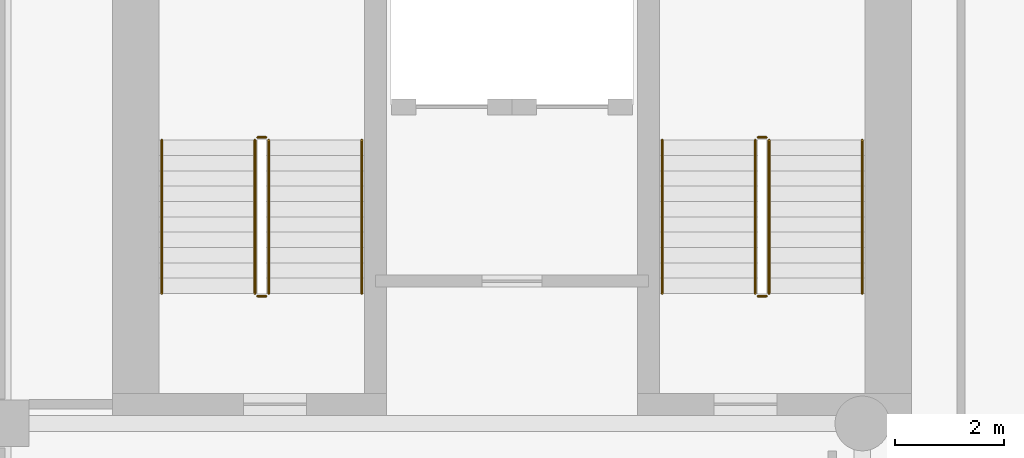
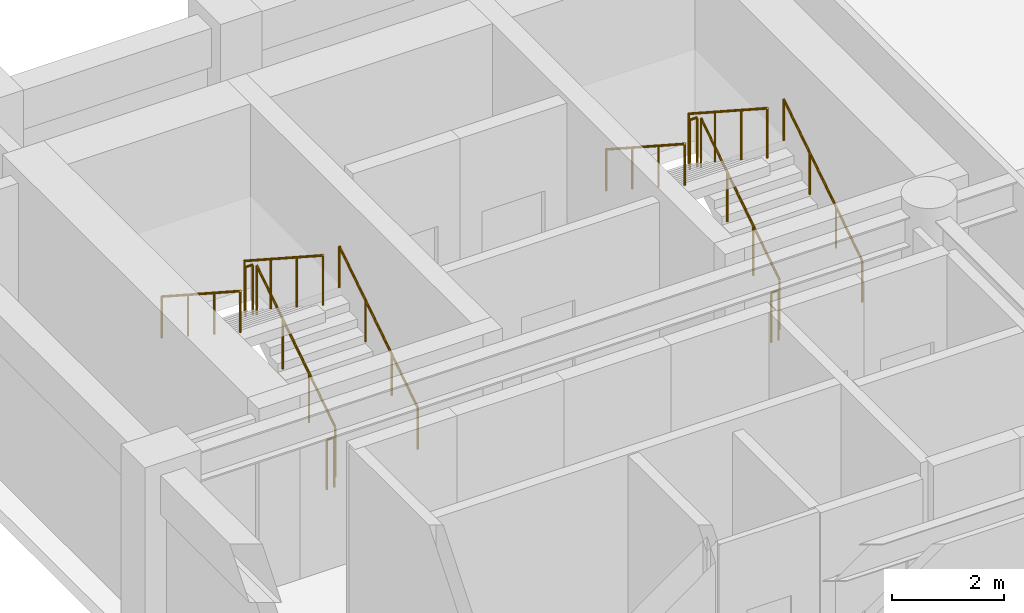
# One storey, part 7 of 8: 12 railings.
"""IFC4 building model written with IfcOpenShell, lengths in metres."""

import ifcopenshell
import ifcopenshell.guid

model = None  # the IFC model being written
_history = None  # IfcOwnerHistory: only IFC2X3 demands one
_inside = {}  # id of a spatial element -> (the spatial element, [elements in it])
_under = {}  # id of a project, library or spatial element -> (it, [spatial elements below it])
_declared = {}  # id of a project -> (the project, [libraries it declares])
_typed = {}  # id of a type object -> (the type object, [elements of that type])
_made_of = {}  # id of a material, layer set ... -> (it, [elements and type objects made of it])


def new_model(schema):
    """Start an empty IFC model of exactly this schema.

    Asked for "IFC4X3", IfcOpenShell would pick the latest addendum, in which some entities
    have other attributes; the version numbers below select the first issue.
    IFC2X3 requires an IfcOwnerHistory on every rooted entity: one is made here for all.
    """
    global model, _history
    if schema == "IFC4X3":
        model = ifcopenshell.file(schema_version=(4, 3, 0, 0))
    else:
        model = ifcopenshell.file(schema=schema)
    _inside.clear()
    _under.clear()
    _declared.clear()
    _typed.clear()
    _made_of.clear()
    _history = None
    if model.schema == "IFC2X3":
        org = make("IfcOrganization", Name="unknown")
        user = make(
            "IfcPersonAndOrganization",
            ThePerson=make("IfcPerson", FamilyName="unknown"),
            TheOrganization=org,
        )
        app = make(
            "IfcApplication",
            ApplicationDeveloper=org,
            Version="unknown",
            ApplicationFullName="unknown",
            ApplicationIdentifier="unknown",
        )
        _history = make(
            "IfcOwnerHistory",
            OwningUser=user,
            OwningApplication=app,
            ChangeAction="ADDED",
            CreationDate=0,
        )
    return model


def make(cls, **values):
    """One entity of the class cls with the attributes given. An attribute that is None is left unset."""
    return model.create_entity(
        cls, **{name: value for name, value in values.items() if value is not None}
    )


def rooted(cls, **values):
    """An entity with a GlobalId (a new one), such as an element, a storey or a relation."""
    return make(cls, GlobalId=ifcopenshell.guid.new(), OwnerHistory=_history, **values)


def si_unit(unit_type, name, prefix=None):
    """IfcSIUnit, for example si_unit("LENGTHUNIT", "METRE", prefix="MILLI")."""
    return make("IfcSIUnit", UnitType=unit_type, Prefix=prefix, Name=name)


def assignment(units):
    """IfcUnitAssignment: the units of a project."""
    return None if units is None else make("IfcUnitAssignment", Units=units)


def point(xyz):
    """IfcCartesianPoint."""
    return None if xyz is None else make("IfcCartesianPoint", Coordinates=xyz)


def direction(xyz):
    """IfcDirection."""
    return None if xyz is None else make("IfcDirection", DirectionRatios=xyz)


def frame(location, z_axis=None, x_axis=None):
    """IfcAxis2Placement3D, a coordinate frame: its origin and axes. An axis left out is left unset."""
    return make(
        "IfcAxis2Placement3D",
        Location=point(location),
        Axis=direction(z_axis),
        RefDirection=direction(x_axis),
    )


def frame_2d(location, x_axis=None):
    """IfcAxis2Placement2D, a coordinate frame in the plane: its origin and x axis."""
    return make(
        "IfcAxis2Placement2D", Location=point(location), RefDirection=direction(x_axis)
    )


def origin():
    """The frame at (0, 0, 0) with its axes left unset."""
    return frame((0.0, 0.0, 0.0))


def origin_2d():
    """The frame at (0, 0) in the plane with its x axis left unset."""
    return frame_2d((0.0, 0.0))


def place(relative_to, where):
    """IfcLocalPlacement: puts the frame where relative to a parent placement (None: the world)."""
    return make(
        "IfcLocalPlacement", PlacementRelTo=relative_to, RelativePlacement=where
    )


def context(
    kind, dimensions, precision=None, world=None, true_north=None, identifier=None
):
    """IfcGeometricRepresentationContext, for example the 3D "Model" context."""
    return make(
        "IfcGeometricRepresentationContext",
        ContextIdentifier=identifier,
        ContextType=kind,
        CoordinateSpaceDimension=dimensions,
        Precision=precision,
        WorldCoordinateSystem=world,
        TrueNorth=true_north,
    )


def subcontext(parent, identifier, kind, view, scale=None):
    """IfcGeometricRepresentationSubContext, for example "Body" below "Model"."""
    return make(
        "IfcGeometricRepresentationSubContext",
        ContextIdentifier=identifier,
        ContextType=kind,
        ParentContext=parent,
        TargetScale=scale,
        TargetView=view,
    )


def project(units=None, contexts=None):
    """IfcProject with its units and contexts."""
    return rooted(
        "IfcProject",
        Name="project",
        RepresentationContexts=contexts,
        UnitsInContext=assignment(units),
    )


def spatial(cls, under=None, at=None, **own):
    """A site, building, storey or space (cls), placed at a placement, below another one or the project."""
    s = rooted(cls, ObjectPlacement=at, **own)
    if under is not None:
        _under.setdefault(under.id(), (under, []))[1].append(s)
    return s


def profile(cls, at=None, kind="AREA", **sizes):
    """A parametric profile (cls). Its sizes go by their IFC names, for example OverallWidth=200.0."""
    return make(cls, ProfileType=kind, Position=at, **sizes)


def circle(**sizes):
    """IfcCircleProfileDef."""
    return profile("IfcCircleProfileDef", **sizes)


def extrude(swept, where, along, depth):
    """IfcExtrudedAreaSolid: the profile swept, set in the frame where, extruded along a direction by depth."""
    return make(
        "IfcExtrudedAreaSolid",
        SweptArea=swept,
        Position=where,
        ExtrudedDirection=direction(along),
        Depth=depth,
    )


def shape(context_of_items, identifier, shape_type, items):
    """IfcShapeRepresentation: the items that make up one representation, for example the "Body"."""
    return make(
        "IfcShapeRepresentation",
        ContextOfItems=context_of_items,
        RepresentationIdentifier=identifier,
        RepresentationType=shape_type,
        Items=items,
    )


def material(Name=None, Category=None):
    """IfcMaterial."""
    return make("IfcMaterial", Name=Name, Category=Category)


def made_of(thing, what):
    """Note that an element or type object is made of a material, layer set ...; save() writes the relation."""
    if what is not None:
        _made_of.setdefault(what.id(), (what, []))[1].append(thing)
    return thing


def type_object(cls, material=None, **own):
    """A type object (cls), such as IfcWallType, which elements share."""
    return made_of(rooted(cls, **own), material)


def element(
    cls,
    number,
    at=None,
    inside=None,
    cuts=None,
    type_object=None,
    material=None,
    context=None,
    identifier="Body",
    shape_type=None,
    held_by="IfcProductDefinitionShape",
    body=None,
    shapes=None,
    **own,
):
    """One element of the class cls, such as IfcWall. Its Tag is "e" and its number.

    at: its placement. inside: the storey or other place that contains it. cuts: it is an
    opening in that element (IfcRelVoidsElement). A single representation is given by context,
    identifier, shape_type and body (its items); several are given by shapes. held_by: the class
    of the entity that holds the representations. save() writes the other relations.
    """
    e = rooted(cls, Tag="e%d" % number, ObjectPlacement=at, **own)
    if body is not None:
        shapes = [shape(context, identifier, shape_type, body)]
    if shapes is not None:
        e.Representation = make(held_by, Representations=shapes)
    if inside is not None:
        _inside.setdefault(inside.id(), (inside, []))[1].append(e)
    if cuts is not None:
        rooted(
            "IfcRelVoidsElement", RelatingBuildingElement=cuts, RelatedOpeningElement=e
        )
    if type_object is not None:
        _typed.setdefault(type_object.id(), (type_object, []))[1].append(e)
    return made_of(e, material)


def aggregate(whole, parts):
    """IfcRelAggregates: a whole, such as a stair, and the parts it consists of."""
    return rooted("IfcRelAggregates", RelatingObject=whole, RelatedObjects=parts)


def save(model, path):
    """Write the relations noted so far, then the file.

    IfcRelAggregates (storeys below a building ...), IfcRelContainedInSpatialStructure (elements
    in a storey), IfcRelDefinesByType, IfcRelAssociatesMaterial and IfcRelDeclares: one each for
    every whole, place, type object, material and project.
    """
    for whole, parts in _under.values():
        aggregate(whole, parts)
    for where, things in _inside.values():
        rooted(
            "IfcRelContainedInSpatialStructure",
            RelatedElements=things,
            RelatingStructure=where,
        )
    for kind, things in _typed.values():
        rooted("IfcRelDefinesByType", RelatedObjects=things, RelatingType=kind)
    for what, things in _made_of.values():
        rooted("IfcRelAssociatesMaterial", RelatedObjects=things, RelatingMaterial=what)
    for by, libraries in _declared.values():
        rooted("IfcRelDeclares", RelatingContext=by, RelatedDefinitions=libraries)
    model.write(path)


model = new_model("IFC4")

# Units and contexts
model_context = context("Model", 3, precision=1e-05, world=origin(), true_north=direction((0.0, 1.0)))
body_context = subcontext(model_context, "Body", "Model", "MODEL_VIEW")
ifc_project = project(units=[si_unit("LENGTHUNIT", "METRE"), si_unit("AREAUNIT", "SQUARE_METRE"), si_unit("VOLUMEUNIT", "CUBIC_METRE"), si_unit("PLANEANGLEUNIT", "RADIAN"), si_unit("MASSUNIT", "GRAM", prefix="KILO")], contexts=[model_context])

# Site, building, storey
site_placement = place(None, origin())
site = spatial("IfcSite", under=ifc_project, at=site_placement, CompositionType="ELEMENT")
building_placement = place(site_placement, origin())
building = spatial("IfcBuilding", under=site, at=building_placement, Name="Sulina Concourse Tower", CompositionType="ELEMENT")
storey_placement = place(building_placement, frame((0.0, 0.0, 100.60009765625)))
storey = spatial("IfcBuildingStorey", under=building, at=storey_placement, Name="L24", CompositionType="ELEMENT", Elevation=100.60009765625)

# Railings
ifc_material_1 = material(Name="Galvanised steel railing", Category="steel")
railing_type_1 = type_object("IfcRailingType", Name="Core Stair Steel Guardrail 1150mm", PredefinedType="GUARDRAIL", material=ifc_material_1)
railing_1_placement = place(storey_placement, frame((5.554931640625, 36.375, 0.181640625)))
element("IfcRailing", 1, at=railing_1_placement, inside=storey, type_object=railing_type_1, Name="L24 ST-1 stair guard 1", PredefinedType="GUARDRAIL", context=body_context, shape_type="SweptSolid", body=[
    extrude(circle(Radius=0.02392578125, at=origin_2d()), frame((0.0, 0.0, 1.076171875), z_axis=(0.0, 0.838672427954, 0.544636170843), x_axis=(-1.0, 0.0, 0.0)), (0.0, 0.0, 1.0), 3.338623046875),
    extrude(circle(Radius=0.02099609375, at=origin_2d()), origin(), (0.0, 0.0, 1.0), 1.052001953125),
    extrude(circle(Radius=0.02099609375, at=origin_2d()), frame((0.0, 0.933349609375, 0.606201171875)), (0.0, 0.0, 1.0), 1.052001953125),
    extrude(circle(Radius=0.02099609375, at=origin_2d()), frame((0.0, 1.86669921875, 1.212158203125)), (0.0, 0.0, 1.0), 1.052001953125),
    extrude(circle(Radius=0.02099609375, at=origin_2d()), frame((0.0, 2.800048828125, 1.818359375)), (0.0, 0.0, 1.0), 1.052001953125),
])
railing_2_placement = place(storey_placement, frame((5.5048828125, 39.22509765625, 2.0)))
element("IfcRailing", 2, at=railing_2_placement, inside=storey, type_object=railing_type_1, Name="L24 ST-1 stair guard 2", PredefinedType="GUARDRAIL", context=body_context, shape_type="SweptSolid", body=[
    extrude(circle(Radius=0.02392578125, at=origin_2d()), frame((0.0, 0.0, 1.076171875), z_axis=(-1.0, 0.0, 0.0), x_axis=(0.0, -1.0, 0.0)), (0.0, 0.0, 1.0), 0.14990234375),
    extrude(circle(Radius=0.02099609375, at=origin_2d()), origin(), (0.0, 0.0, 1.0), 1.052001953125),
    extrude(circle(Radius=0.02099609375, at=origin_2d()), frame((-0.14990234375, 0.0, 0.0)), (0.0, 0.0, 1.0), 1.052001953125),
])
railing_3_placement = place(storey_placement, frame((5.304931640625, 39.175048828125, 2.181640625)))
element("IfcRailing", 3, at=railing_3_placement, inside=storey, type_object=railing_type_1, Name="L24 ST-1 stair guard 3", PredefinedType="GUARDRAIL", context=body_context, shape_type="SweptSolid", body=[
    extrude(circle(Radius=0.02392578125, at=origin_2d()), frame((0.0, 0.0, 1.076171875), z_axis=(0.0, -0.838672427954, 0.544636170843), x_axis=(1.0, 0.0, 0.0)), (0.0, 0.0, 1.0), 3.338623046875),
    extrude(circle(Radius=0.02099609375, at=origin_2d()), origin(), (0.0, 0.0, 1.0), 1.052001953125),
    extrude(circle(Radius=0.02099609375, at=origin_2d()), frame((0.0, -0.933349609375, 0.606201171875)), (0.0, 0.0, 1.0), 1.052001953125),
    extrude(circle(Radius=0.02099609375, at=origin_2d()), frame((0.0, -1.86669921875, 1.212158203125)), (0.0, 0.0, 1.0), 1.052001953125),
    extrude(circle(Radius=0.02099609375, at=origin_2d()), frame((0.0, -2.800048828125, 1.818359375)), (0.0, 0.0, 1.0), 1.052001953125),
])
railing_4_placement = place(storey_placement, frame((5.5048828125, 36.324951171875, 0.0)))
element("IfcRailing", 4, at=railing_4_placement, inside=storey, type_object=railing_type_1, Name="L24 ST-1 stair guard 4", PredefinedType="GUARDRAIL", context=body_context, shape_type="SweptSolid", body=[
    extrude(circle(Radius=0.02392578125, at=origin_2d()), frame((0.0, 0.0, 1.076171875), z_axis=(-1.0, 0.0, 0.0), x_axis=(0.0, -1.0, 0.0)), (0.0, 0.0, 1.0), 0.14990234375),
    extrude(circle(Radius=0.02099609375, at=origin_2d()), origin(), (0.0, 0.0, 1.0), 1.052001953125),
    extrude(circle(Radius=0.02099609375, at=origin_2d()), frame((-0.14990234375, 0.0, 0.0)), (0.0, 0.0, 1.0), 1.052001953125),
])
railing_5_placement = place(storey_placement, frame((14.695068359375, 36.375, 0.181640625)))
element("IfcRailing", 5, at=railing_5_placement, inside=storey, type_object=railing_type_1, Name="L24 ST-2 stair guard 1", PredefinedType="GUARDRAIL", context=body_context, shape_type="SweptSolid", body=[
    extrude(circle(Radius=0.02392578125, at=origin_2d()), frame((0.0, 0.0, 1.076171875), z_axis=(0.0, 0.838672427954, 0.544636170843), x_axis=(-1.0, 0.0, 0.0)), (0.0, 0.0, 1.0), 3.338623046875),
    extrude(circle(Radius=0.02099609375, at=origin_2d()), origin(), (0.0, 0.0, 1.0), 1.052001953125),
    extrude(circle(Radius=0.02099609375, at=origin_2d()), frame((0.0, 0.933349609375, 0.606201171875)), (0.0, 0.0, 1.0), 1.052001953125),
    extrude(circle(Radius=0.02099609375, at=origin_2d()), frame((0.0, 1.86669921875, 1.212158203125)), (0.0, 0.0, 1.0), 1.052001953125),
    extrude(circle(Radius=0.02099609375, at=origin_2d()), frame((0.0, 2.800048828125, 1.818359375)), (0.0, 0.0, 1.0), 1.052001953125),
])
railing_6_placement = place(storey_placement, frame((14.64501953125, 39.22509765625, 2.0)))
element("IfcRailing", 6, at=railing_6_placement, inside=storey, type_object=railing_type_1, Name="L24 ST-2 stair guard 2", PredefinedType="GUARDRAIL", context=body_context, shape_type="SweptSolid", body=[
    extrude(circle(Radius=0.02392578125, at=origin_2d()), frame((0.0, 0.0, 1.076171875), z_axis=(-1.0, 0.0, 0.0), x_axis=(0.0, -1.0, 0.0)), (0.0, 0.0, 1.0), 0.14990234375),
    extrude(circle(Radius=0.02099609375, at=origin_2d()), origin(), (0.0, 0.0, 1.0), 1.052001953125),
    extrude(circle(Radius=0.02099609375, at=origin_2d()), frame((-0.14990234375, 0.0, 0.0)), (0.0, 0.0, 1.0), 1.052001953125),
])
railing_7_placement = place(storey_placement, frame((14.445068359375, 39.175048828125, 2.181640625)))
element("IfcRailing", 7, at=railing_7_placement, inside=storey, type_object=railing_type_1, Name="L24 ST-2 stair guard 3", PredefinedType="GUARDRAIL", context=body_context, shape_type="SweptSolid", body=[
    extrude(circle(Radius=0.02392578125, at=origin_2d()), frame((0.0, 0.0, 1.076171875), z_axis=(0.0, -0.838672427954, 0.544636170843), x_axis=(1.0, 0.0, 0.0)), (0.0, 0.0, 1.0), 3.338623046875),
    extrude(circle(Radius=0.02099609375, at=origin_2d()), origin(), (0.0, 0.0, 1.0), 1.052001953125),
    extrude(circle(Radius=0.02099609375, at=origin_2d()), frame((0.0, -0.933349609375, 0.606201171875)), (0.0, 0.0, 1.0), 1.052001953125),
    extrude(circle(Radius=0.02099609375, at=origin_2d()), frame((0.0, -1.86669921875, 1.212158203125)), (0.0, 0.0, 1.0), 1.052001953125),
    extrude(circle(Radius=0.02099609375, at=origin_2d()), frame((0.0, -2.800048828125, 1.818359375)), (0.0, 0.0, 1.0), 1.052001953125),
])
railing_8_placement = place(storey_placement, frame((14.64501953125, 36.324951171875, 0.0)))
element("IfcRailing", 8, at=railing_8_placement, inside=storey, type_object=railing_type_1, Name="L24 ST-2 stair guard 4", PredefinedType="GUARDRAIL", context=body_context, shape_type="SweptSolid", body=[
    extrude(circle(Radius=0.02392578125, at=origin_2d()), frame((0.0, 0.0, 1.076171875), z_axis=(-1.0, 0.0, 0.0), x_axis=(0.0, -1.0, 0.0)), (0.0, 0.0, 1.0), 0.14990234375),
    extrude(circle(Radius=0.02099609375, at=origin_2d()), origin(), (0.0, 0.0, 1.0), 1.052001953125),
    extrude(circle(Radius=0.02099609375, at=origin_2d()), frame((-0.14990234375, 0.0, 0.0)), (0.0, 0.0, 1.0), 1.052001953125),
])
ifc_material_2 = material(Name="Galvanised steel railing", Category="steel")
railing_type_2 = type_object("IfcRailingType", Name="Stair Wall Steel Handrail 920mm", PredefinedType="HANDRAIL", material=ifc_material_2)
railing_9_placement = place(storey_placement, frame((7.2548828125, 36.375, 0.181640625)))
element("IfcRailing", 9, at=railing_9_placement, inside=storey, type_object=railing_type_2, Name="L24 ST-1 stair handrail 1", PredefinedType="HANDRAIL", context=body_context, shape_type="SweptSolid", body=[
    extrude(circle(Radius=0.02392578125, at=origin_2d()), frame((0.0, 0.0, 0.89599609375), z_axis=(0.0, 0.838672427954, 0.544636170843), x_axis=(-1.0, 0.0, 0.0)), (0.0, 0.0, 1.0), 3.338623046875),
    extrude(circle(Radius=0.02099609375, at=origin_2d()), origin(), (0.0, 0.0, 1.0), 0.871826171875),
    extrude(circle(Radius=0.02099609375, at=origin_2d()), frame((0.0, 0.933349609375, 0.606201171875)), (0.0, 0.0, 1.0), 0.871826171875),
    extrude(circle(Radius=0.02099609375, at=origin_2d()), frame((0.0, 1.86669921875, 1.212158203125)), (0.0, 0.0, 1.0), 0.871826171875),
    extrude(circle(Radius=0.02099609375, at=origin_2d()), frame((0.0, 2.800048828125, 1.818359375)), (0.0, 0.0, 1.0), 0.871826171875),
])
railing_10_placement = place(storey_placement, frame((3.60498046875, 39.175048828125, 2.181640625)))
element("IfcRailing", 10, at=railing_10_placement, inside=storey, type_object=railing_type_2, Name="L24 ST-1 stair handrail 2", PredefinedType="HANDRAIL", context=body_context, shape_type="SweptSolid", body=[
    extrude(circle(Radius=0.02392578125, at=origin_2d()), frame((0.0, 0.0, 0.89599609375), z_axis=(0.0, -0.838672427954, 0.544636170843), x_axis=(1.0, 0.0, 0.0)), (0.0, 0.0, 1.0), 3.338623046875),
    extrude(circle(Radius=0.02099609375, at=origin_2d()), origin(), (0.0, 0.0, 1.0), 0.871826171875),
    extrude(circle(Radius=0.02099609375, at=origin_2d()), frame((0.0, -0.933349609375, 0.606201171875)), (0.0, 0.0, 1.0), 0.871826171875),
    extrude(circle(Radius=0.02099609375, at=origin_2d()), frame((0.0, -1.86669921875, 1.212158203125)), (0.0, 0.0, 1.0), 0.871826171875),
    extrude(circle(Radius=0.02099609375, at=origin_2d()), frame((0.0, -2.800048828125, 1.818359375)), (0.0, 0.0, 1.0), 0.871826171875),
])
railing_11_placement = place(storey_placement, frame((16.39501953125, 36.375, 0.181640625)))
element("IfcRailing", 11, at=railing_11_placement, inside=storey, type_object=railing_type_2, Name="L24 ST-2 stair handrail 1", PredefinedType="HANDRAIL", context=body_context, shape_type="SweptSolid", body=[
    extrude(circle(Radius=0.02392578125, at=origin_2d()), frame((0.0, 0.0, 0.89599609375), z_axis=(0.0, 0.838672427954, 0.544636170843), x_axis=(-1.0, 0.0, 0.0)), (0.0, 0.0, 1.0), 3.338623046875),
    extrude(circle(Radius=0.02099609375, at=origin_2d()), origin(), (0.0, 0.0, 1.0), 0.871826171875),
    extrude(circle(Radius=0.02099609375, at=origin_2d()), frame((0.0, 0.933349609375, 0.606201171875)), (0.0, 0.0, 1.0), 0.871826171875),
    extrude(circle(Radius=0.02099609375, at=origin_2d()), frame((0.0, 1.86669921875, 1.212158203125)), (0.0, 0.0, 1.0), 0.871826171875),
    extrude(circle(Radius=0.02099609375, at=origin_2d()), frame((0.0, 2.800048828125, 1.818359375)), (0.0, 0.0, 1.0), 0.871826171875),
])
railing_12_placement = place(storey_placement, frame((12.7451171875, 39.175048828125, 2.181640625)))
element("IfcRailing", 12, at=railing_12_placement, inside=storey, type_object=railing_type_2, Name="L24 ST-2 stair handrail 2", PredefinedType="HANDRAIL", context=body_context, shape_type="SweptSolid", body=[
    extrude(circle(Radius=0.02392578125, at=origin_2d()), frame((0.0, 0.0, 0.89599609375), z_axis=(0.0, -0.838672427954, 0.544636170843), x_axis=(1.0, 0.0, 0.0)), (0.0, 0.0, 1.0), 3.338623046875),
    extrude(circle(Radius=0.02099609375, at=origin_2d()), origin(), (0.0, 0.0, 1.0), 0.871826171875),
    extrude(circle(Radius=0.02099609375, at=origin_2d()), frame((0.0, -0.933349609375, 0.606201171875)), (0.0, 0.0, 1.0), 0.871826171875),
    extrude(circle(Radius=0.02099609375, at=origin_2d()), frame((0.0, -1.86669921875, 1.212158203125)), (0.0, 0.0, 1.0), 0.871826171875),
    extrude(circle(Radius=0.02099609375, at=origin_2d()), frame((0.0, -2.800048828125, 1.818359375)), (0.0, 0.0, 1.0), 0.871826171875),
])

save(model, "model.ifc")
